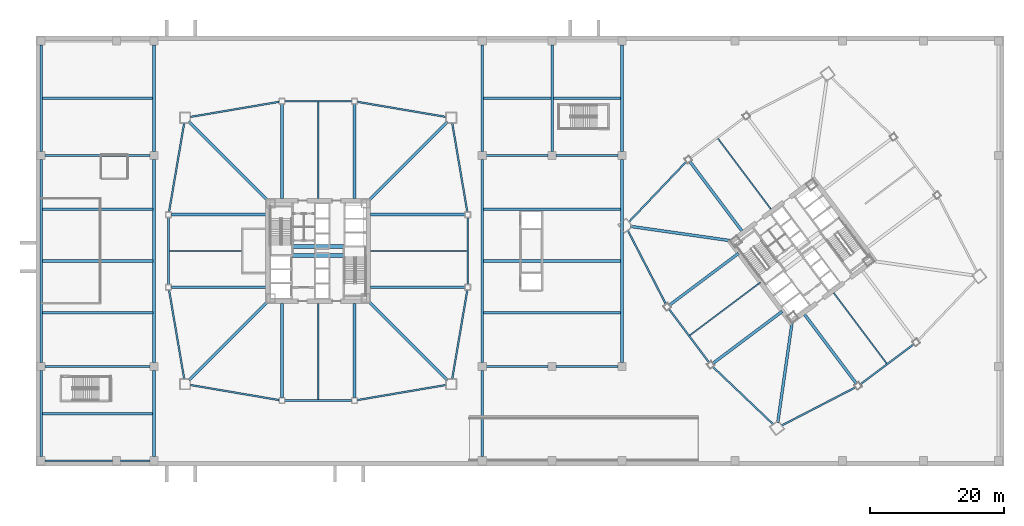
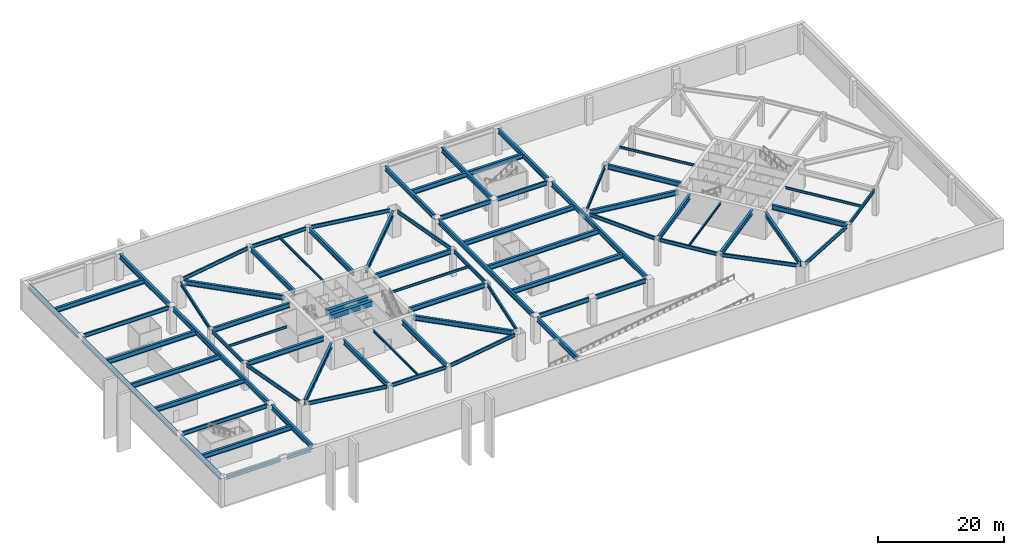
# One storey, part 5 of 17: 74 beams.
"""IFC4 building model written with IfcOpenShell, lengths in metres."""

from ifc_helpers import new_model, si_unit, direction, frame, origin, origin_2d, place, context, subcontext, project, spatial, rectangle, i_section, extrude, material, material_profile, profile_set, type_object, element, save


model = new_model("IFC4")

# Units and contexts
model_context = context("Model", 3, precision=1e-05, world=origin(), true_north=direction((0.0, 1.0)))
body_context = subcontext(model_context, "Body", "Model", "MODEL_VIEW")
ifc_project = project(units=[si_unit("LENGTHUNIT", "METRE"), si_unit("AREAUNIT", "SQUARE_METRE"), si_unit("VOLUMEUNIT", "CUBIC_METRE"), si_unit("PLANEANGLEUNIT", "RADIAN"), si_unit("MASSUNIT", "GRAM", prefix="KILO")], contexts=[model_context])

# Site, building, storey
site_placement = place(None, origin())
site = spatial("IfcSite", under=ifc_project, at=site_placement, CompositionType="ELEMENT")
building_placement = place(site_placement, origin())
building = spatial("IfcBuilding", under=site, at=building_placement, Name="Tashvorn Skyway Center", CompositionType="ELEMENT")
storey_placement = place(building_placement, frame((0.0, 0.0, -5.5)))
storey = spatial("IfcBuildingStorey", under=building, at=storey_placement, Name="B1", CompositionType="ELEMENT", Elevation=-5.5)

# Beams
ifc_material_1 = material(Name="Steel ASTM A992 Grade 50", Category="steel")
ifc_material_profile_1 = material_profile(ifc_material_1, i_section(OverallWidth=0.26708984375, OverallDepth=0.779052734375, WebThickness=0.0166015625, FlangeThickness=0.030029296875, at=origin_2d()), Name="W30X148")
ifc_profile_set_1 = profile_set([ifc_material_profile_1], Name="Steel ASTM A992 Grade 50")
beam_type_1 = type_object("IfcBeamType", Name="BM-BEAM-W30X148", PredefinedType="BEAM", material=ifc_profile_set_1)
beam_1_placement = place(storey_placement, frame((1.39501953125, 0.800048828125, 4.810546875), z_axis=(1.0, 0.0, 0.0), x_axis=(0.0, 1.0, 0.0)))
element("IfcBeam", 1, at=beam_1_placement, inside=storey, type_object=beam_type_1, Name="B1 West Edge Girder A 01", PredefinedType="BEAM", context=body_context, shape_type="SweptSolid", body=[
    extrude(i_section(OverallWidth=0.26708984375, OverallDepth=0.779052734375, WebThickness=0.0166015625, FlangeThickness=0.030029296875, at=origin_2d()), origin(), (0.0, 0.0, 1.0), 10.010009765625),
])
beam_2_placement = place(storey_placement, frame((12.594970703125, 0.800048828125, 4.810546875), z_axis=(1.0, 0.0, 0.0), x_axis=(0.0, 1.0, 0.0)))
element("IfcBeam", 2, at=beam_2_placement, inside=storey, type_object=beam_type_1, Name="B1 West Edge Girder B 01", PredefinedType="BEAM", context=body_context, shape_type="SweptSolid", body=[
    extrude(i_section(OverallWidth=0.26708984375, OverallDepth=0.779052734375, WebThickness=0.0166015625, FlangeThickness=0.030029296875, at=origin_2d()), origin(), (0.0, 0.0, 1.0), 4.409912109375),
])
for number, where, z_axis, x_axis, name in (
    (3, (1.39501953125, 14.800048828125, 4.810546875), (1.0, 0.0, 0.0), (0.0, 1.0, 0.0), "B1 West Auditorium Span Girder 03"),
    (4, (1.39501953125, 46.199951171875, 4.810546875), (1.0, 0.0, 0.0), (0.0, 1.0, 0.0), "B1 West Auditorium Span Girder 07"),
):
    element("IfcBeam", number, at=place(storey_placement, frame(where, z_axis=z_axis, x_axis=x_axis)), inside=storey, type_object=beam_type_1, Name=name, PredefinedType="BEAM", context=body_context, shape_type="SweptSolid", body=[
        extrude(i_section(OverallWidth=0.26708984375, OverallDepth=0.779052734375, WebThickness=0.0166015625, FlangeThickness=0.030029296875, at=origin_2d()), origin(), (0.0, 0.0, 1.0), 15.60986328125),
    ])
ifc_material_profile_2 = material_profile(ifc_material_1, i_section(OverallWidth=0.2919921875, OverallDepth=0.85888671875, WebThickness=0.01708984375, FlangeThickness=0.031005859375, at=origin_2d()), Name="W33X169")
ifc_profile_set_2 = profile_set([ifc_material_profile_2], Name="Steel ASTM A992 Grade 50")
beam_type_2 = type_object("IfcBeamType", Name="BM-BEAM-W33X169", PredefinedType="BEAM", material=ifc_profile_set_2)
for number, where, z_axis, x_axis, name in (
    (5, (66.9951171875, 14.800048828125, 4.7705078125), (1.0, 0.0, 0.0), (0.0, 1.0, 0.0), "B1 Central Podium Girder A 03"),
    (6, (77.39501953125, 14.800048828125, 4.7705078125), (1.0, 0.0, 0.0), (0.0, 1.0, 0.0), "B1 Central Podium Girder B 03"),
    (7, (66.9951171875, 46.199951171875, 4.7705078125), (1.0, 0.0, 0.0), (0.0, 1.0, 0.0), "B1 Central Podium Girder A 07"),
    (8, (77.39501953125, 46.199951171875, 4.7705078125), (1.0, 0.0, 0.0), (0.0, 1.0, 0.0), "B1 Central Podium Girder B 07"),
):
    element("IfcBeam", number, at=place(storey_placement, frame(where, z_axis=z_axis, x_axis=x_axis)), inside=storey, type_object=beam_type_2, Name=name, PredefinedType="BEAM", context=body_context, shape_type="SweptSolid", body=[
        extrude(i_section(OverallWidth=0.2919921875, OverallDepth=0.85888671875, WebThickness=0.01708984375, FlangeThickness=0.031005859375, at=origin_2d()), origin(), (0.0, 0.0, 1.0), 9.2099609375),
    ])
ifc_material_2 = material(Name="Steel ASTM A913 Grade 65", Category="steel")
ifc_material_profile_3 = material_profile(ifc_material_2, i_section(OverallWidth=0.4189453125, OverallDepth=0.927001953125, WebThickness=0.019287109375, FlangeThickness=0.031982421875, at=origin_2d()), Name="W36X231")
ifc_profile_set_3 = profile_set([ifc_material_profile_3], Name="Steel ASTM A913 Grade 65")
beam_type_3 = type_object("IfcBeamType", Name="BM-BEAM-W36X231", PredefinedType="BEAM", material=ifc_profile_set_3)
for number, where, z_axis, x_axis, name in (
    (9, (22.76220703125, 12.76220703125, 4.736572265625), (0.707106781187, 0.707106781187, 0.0), (-0.707106781187, 0.707106781187, 0.0), "Tower 1 B1 Primary Floor Girder MC-SW"),
    (10, (61.23779296875, 12.76220703125, 4.736572265625), (-0.707106781187, 0.707106781187, 0.0), (-0.707106781187, -0.707106781187, 0.0), "Tower 1 B1 Primary Floor Girder MC-SE"),
    (11, (61.23779296875, 51.23779296875, 4.736572265625), (-0.707106781187, -0.707106781187, 0.0), (0.707106781187, -0.707106781187, 0.0), "Tower 1 B1 Primary Floor Girder MC-NE"),
    (12, (22.76220703125, 51.23779296875, 4.736572265625), (0.707106781187, -0.707106781187, 0.0), (0.707106781187, 0.707106781187, 0.0), "Tower 1 B1 Primary Floor Girder MC-NW"),
):
    element("IfcBeam", number, at=place(storey_placement, frame(where, z_axis=z_axis, x_axis=x_axis)), inside=storey, type_object=beam_type_3, Name=name, PredefinedType="BEAM", context=body_context, shape_type="SweptSolid", body=[
        extrude(i_section(OverallWidth=0.4189453125, OverallDepth=0.927001953125, WebThickness=0.019287109375, FlangeThickness=0.031982421875, at=origin_2d()), origin(), (0.0, 0.0, 1.0), 16.591064453125),
    ])
for number, where, z_axis, x_axis, name in (
    (13, (36.60009765625, 10.169921875, 4.736572265625), (0.0, 1.0, 0.0), (-1.0, 0.0, 0.0), "Tower 1 B1 Primary Floor Girder FC-S1"),
    (14, (47.39990234375, 10.169921875, 4.736572265625), (0.0, 1.0, 0.0), (-1.0, 0.0, 0.0), "Tower 1 B1 Primary Floor Girder FC-S2"),
    (15, (63.830078125, 26.60009765625, 4.736572265625), (-1.0, 0.0, 0.0), (0.0, -1.0, 0.0), "Tower 1 B1 Primary Floor Girder FC-E1"),
    (16, (63.830078125, 37.39990234375, 4.736572265625), (-1.0, 0.0, 0.0), (0.0, -1.0, 0.0), "Tower 1 B1 Primary Floor Girder FC-E2"),
    (17, (47.39990234375, 53.830078125, 4.736572265625), (0.0, -1.0, 0.0), (1.0, 0.0, 0.0), "Tower 1 B1 Primary Floor Girder FC-N1"),
    (18, (36.60009765625, 53.830078125, 4.736572265625), (0.0, -1.0, 0.0), (1.0, 0.0, 0.0), "Tower 1 B1 Primary Floor Girder FC-N2"),
    (19, (20.169921875, 37.39990234375, 4.736572265625), (1.0, 0.0, 0.0), (0.0, 1.0, 0.0), "Tower 1 B1 Primary Floor Girder FC-W1"),
    (20, (20.169921875, 26.60009765625, 4.736572265625), (1.0, 0.0, 0.0), (0.0, 1.0, 0.0), "Tower 1 B1 Primary Floor Girder FC-W2"),
):
    element("IfcBeam", number, at=place(storey_placement, frame(where, z_axis=z_axis, x_axis=x_axis)), inside=storey, type_object=beam_type_3, Name=name, PredefinedType="BEAM", context=body_context, shape_type="SweptSolid", body=[
        extrude(i_section(OverallWidth=0.4189453125, OverallDepth=0.927001953125, WebThickness=0.019287109375, FlangeThickness=0.031982421875, at=origin_2d()), origin(), (0.0, 0.0, 1.0), 14.050048828125),
    ])
for number, where, z_axis, x_axis, name in (
    (21, (110.3525390625, 6.467041015625, 4.736572265625), (0.141414599991, 0.989950458816, 0.0), (-0.989950458816, 0.141414599991, 0.0), "Tower 2 B1 Primary Floor Girder MC-SW"),
    (22, (88.467041015625, 35.6474609375, 4.736572265625), (0.989950458816, -0.141414599991, 0.0), (0.141414599991, 0.989950458816, 0.0), "Tower 2 B1 Primary Floor Girder MC-NW"),
):
    element("IfcBeam", number, at=place(storey_placement, frame(where, z_axis=z_axis, x_axis=x_axis)), inside=storey, type_object=beam_type_3, Name=name, PredefinedType="BEAM", context=body_context, shape_type="SweptSolid", body=[
        extrude(i_section(OverallWidth=0.4189453125, OverallDepth=0.927001953125, WebThickness=0.019287109375, FlangeThickness=0.031982421875, at=origin_2d()), origin(), (0.0, 0.0, 1.0), 15.177001953125),
    ])
beam_3_placement = place(storey_placement, frame((122.05810546875, 12.256103515625, 4.736572265625), z_axis=(-0.600018239213, 0.799986320265, 0.0), x_axis=(-0.799986320265, -0.600018239213, 0.0)))
element("IfcBeam", 23, at=beam_3_placement, inside=storey, type_object=beam_type_3, Name="Tower 2 B1 Primary Floor Girder FC-S1", PredefinedType="BEAM", context=body_context, shape_type="SweptSolid", body=[
    extrude(i_section(OverallWidth=0.4189453125, OverallDepth=0.927001953125, WebThickness=0.019287109375, FlangeThickness=0.031982421875, at=origin_2d()), origin(), (0.0, 0.0, 1.0), 12.849853515625),
])
beam_4_placement = place(storey_placement, frame((97.302001953125, 45.263916015625, 4.736572265625), z_axis=(0.599996960112, -0.800002279907, 0.0), x_axis=(0.800002279907, 0.599996960112, 0.0)))
element("IfcBeam", 24, at=beam_4_placement, inside=storey, type_object=beam_type_3, Name="Tower 2 B1 Primary Floor Girder FC-N2", PredefinedType="BEAM", context=body_context, shape_type="SweptSolid", body=[
    extrude(i_section(OverallWidth=0.4189453125, OverallDepth=0.927001953125, WebThickness=0.019287109375, FlangeThickness=0.031982421875, at=origin_2d()), origin(), (0.0, 0.0, 1.0), 12.85009765625),
])
beam_5_placement = place(storey_placement, frame((94.256103515625, 23.94189453125, 4.736572265625), z_axis=(0.799986320265, 0.600018239213, 0.0), x_axis=(-0.600018239213, 0.799986320265, 0.0)))
element("IfcBeam", 25, at=beam_5_placement, inside=storey, type_object=beam_type_3, Name="Tower 2 B1 Primary Floor Girder FC-W1", PredefinedType="BEAM", context=body_context, shape_type="SweptSolid", body=[
    extrude(i_section(OverallWidth=0.4189453125, OverallDepth=0.927001953125, WebThickness=0.019287109375, FlangeThickness=0.031982421875, at=origin_2d()), origin(), (0.0, 0.0, 1.0), 12.849853515625),
])
beam_6_placement = place(storey_placement, frame((100.736083984375, 15.302001953125, 4.736572265625), z_axis=(0.800002279907, 0.599996960112, 0.0), x_axis=(-0.599996960112, 0.800002279907, 0.0)))
element("IfcBeam", 26, at=beam_6_placement, inside=storey, type_object=beam_type_3, Name="Tower 2 B1 Primary Floor Girder FC-W2", PredefinedType="BEAM", context=body_context, shape_type="SweptSolid", body=[
    extrude(i_section(OverallWidth=0.4189453125, OverallDepth=0.927001953125, WebThickness=0.019287109375, FlangeThickness=0.031982421875, at=origin_2d()), origin(), (0.0, 0.0, 1.0), 12.85009765625),
])
beam_7_placement = place(storey_placement, frame((0.800048828125, 1.39501953125, 4.736572265625), z_axis=(0.0, 1.0, 0.0), x_axis=(-1.0, 0.0, 0.0)))
element("IfcBeam", 27, at=beam_7_placement, inside=storey, type_object=beam_type_3, Name="B1 North-South Podium Girder 01-S", PredefinedType="BEAM", context=body_context, shape_type="SweptSolid", body=[
    extrude(i_section(OverallWidth=0.4189453125, OverallDepth=0.927001953125, WebThickness=0.019287109375, FlangeThickness=0.031982421875, at=origin_2d()), origin(), (0.0, 0.0, 1.0), 12.81005859375),
])
beam_8_placement = place(storey_placement, frame((0.800048828125, 15.39501953125, 4.736572265625), z_axis=(0.0, 1.0, 0.0), x_axis=(-1.0, 0.0, 0.0)))
element("IfcBeam", 28, at=beam_8_placement, inside=storey, type_object=beam_type_3, Name="B1 North-South Podium Girder 01-M", PredefinedType="BEAM", context=body_context, shape_type="SweptSolid", body=[
    extrude(i_section(OverallWidth=0.4189453125, OverallDepth=0.927001953125, WebThickness=0.019287109375, FlangeThickness=0.031982421875, at=origin_2d()), origin(), (0.0, 0.0, 1.0), 30.2099609375),
])
beam_9_placement = place(storey_placement, frame((0.800048828125, 46.794921875, 4.736572265625), z_axis=(0.0, 1.0, 0.0), x_axis=(-1.0, 0.0, 0.0)))
element("IfcBeam", 29, at=beam_9_placement, inside=storey, type_object=beam_type_3, Name="B1 North-South Podium Girder 01-N", PredefinedType="BEAM", context=body_context, shape_type="SweptSolid", body=[
    extrude(i_section(OverallWidth=0.4189453125, OverallDepth=0.927001953125, WebThickness=0.019287109375, FlangeThickness=0.031982421875, at=origin_2d()), origin(), (0.0, 0.0, 1.0), 15.81005859375),
])
beam_10_placement = place(storey_placement, frame((17.60009765625, 1.39501953125, 4.736572265625), z_axis=(0.0, 1.0, 0.0), x_axis=(-1.0, 0.0, 0.0)))
element("IfcBeam", 30, at=beam_10_placement, inside=storey, type_object=beam_type_3, Name="B1 North-South Podium Girder 02-S", PredefinedType="BEAM", context=body_context, shape_type="SweptSolid", body=[
    extrude(i_section(OverallWidth=0.4189453125, OverallDepth=0.927001953125, WebThickness=0.019287109375, FlangeThickness=0.031982421875, at=origin_2d()), origin(), (0.0, 0.0, 1.0), 12.81005859375),
])
beam_11_placement = place(storey_placement, frame((17.60009765625, 15.39501953125, 4.736572265625), z_axis=(0.0, 1.0, 0.0), x_axis=(-1.0, 0.0, 0.0)))
element("IfcBeam", 31, at=beam_11_placement, inside=storey, type_object=beam_type_3, Name="B1 North-South Podium Girder 02-M", PredefinedType="BEAM", context=body_context, shape_type="SweptSolid", body=[
    extrude(i_section(OverallWidth=0.4189453125, OverallDepth=0.927001953125, WebThickness=0.019287109375, FlangeThickness=0.031982421875, at=origin_2d()), origin(), (0.0, 0.0, 1.0), 30.2099609375),
])
beam_12_placement = place(storey_placement, frame((17.60009765625, 46.794921875, 4.736572265625), z_axis=(0.0, 1.0, 0.0), x_axis=(-1.0, 0.0, 0.0)))
element("IfcBeam", 32, at=beam_12_placement, inside=storey, type_object=beam_type_3, Name="B1 North-South Podium Girder 02-N", PredefinedType="BEAM", context=body_context, shape_type="SweptSolid", body=[
    extrude(i_section(OverallWidth=0.4189453125, OverallDepth=0.927001953125, WebThickness=0.019287109375, FlangeThickness=0.031982421875, at=origin_2d()), origin(), (0.0, 0.0, 1.0), 15.81005859375),
])
beam_13_placement = place(storey_placement, frame((66.39990234375, 1.39501953125, 4.736572265625), z_axis=(0.0, 1.0, 0.0), x_axis=(-1.0, 0.0, 0.0)))
element("IfcBeam", 33, at=beam_13_placement, inside=storey, type_object=beam_type_3, Name="B1 North-South Podium Girder 03-S", PredefinedType="BEAM", context=body_context, shape_type="SweptSolid", body=[
    extrude(i_section(OverallWidth=0.4189453125, OverallDepth=0.927001953125, WebThickness=0.019287109375, FlangeThickness=0.031982421875, at=origin_2d()), origin(), (0.0, 0.0, 1.0), 12.81005859375),
])
beam_14_placement = place(storey_placement, frame((66.39990234375, 15.39501953125, 4.736572265625), z_axis=(0.0, 1.0, 0.0), x_axis=(-1.0, 0.0, 0.0)))
element("IfcBeam", 34, at=beam_14_placement, inside=storey, type_object=beam_type_3, Name="B1 North-South Podium Girder 03-M", PredefinedType="BEAM", context=body_context, shape_type="SweptSolid", body=[
    extrude(i_section(OverallWidth=0.4189453125, OverallDepth=0.927001953125, WebThickness=0.019287109375, FlangeThickness=0.031982421875, at=origin_2d()), origin(), (0.0, 0.0, 1.0), 30.2099609375),
])
for number, where, z_axis, x_axis, name in (
    (35, (66.39990234375, 46.794921875, 4.736572265625), (0.0, 1.0, 0.0), (-1.0, 0.0, 0.0), "B1 North-South Podium Girder 03-N"),
    (36, (76.800048828125, 46.794921875, 4.736572265625), (0.0, 1.0, 0.0), (-1.0, 0.0, 0.0), "B1 North-South Podium Girder 04-N"),
):
    element("IfcBeam", number, at=place(storey_placement, frame(where, z_axis=z_axis, x_axis=x_axis)), inside=storey, type_object=beam_type_3, Name=name, PredefinedType="BEAM", context=body_context, shape_type="SweptSolid", body=[
        extrude(i_section(OverallWidth=0.4189453125, OverallDepth=0.927001953125, WebThickness=0.019287109375, FlangeThickness=0.031982421875, at=origin_2d()), origin(), (0.0, 0.0, 1.0), 15.81005859375),
    ])
beam_15_placement = place(storey_placement, frame((87.199951171875, 15.39501953125, 4.736572265625), z_axis=(0.0, 1.0, 0.0), x_axis=(-1.0, 0.0, 0.0)))
element("IfcBeam", 37, at=beam_15_placement, inside=storey, type_object=beam_type_3, Name="B1 North-South Podium Girder 05-M", PredefinedType="BEAM", context=body_context, shape_type="SweptSolid", body=[
    extrude(i_section(OverallWidth=0.4189453125, OverallDepth=0.927001953125, WebThickness=0.019287109375, FlangeThickness=0.031982421875, at=origin_2d()), origin(), (0.0, 0.0, 1.0), 30.2099609375),
])
beam_16_placement = place(storey_placement, frame((87.199951171875, 46.794921875, 4.736572265625), z_axis=(0.0, 1.0, 0.0), x_axis=(-1.0, 0.0, 0.0)))
element("IfcBeam", 38, at=beam_16_placement, inside=storey, type_object=beam_type_3, Name="B1 North-South Podium Girder 05-N", PredefinedType="BEAM", context=body_context, shape_type="SweptSolid", body=[
    extrude(i_section(OverallWidth=0.4189453125, OverallDepth=0.927001953125, WebThickness=0.019287109375, FlangeThickness=0.031982421875, at=origin_2d()), origin(), (0.0, 0.0, 1.0), 15.81005859375),
])
for number, where, z_axis, x_axis, name in (
    (39, (1.00146484375, 7.800048828125, 4.736572265625), (1.0, 0.0, 0.0), (0.0, 1.0, 0.0), "B1 West Auditorium Span Girder 02"),
    (40, (1.00146484375, 22.800048828125, 4.736572265625), (1.0, 0.0, 0.0), (0.0, 1.0, 0.0), "B1 West Auditorium Span Girder 04"),
):
    element("IfcBeam", number, at=place(storey_placement, frame(where, z_axis=z_axis, x_axis=x_axis)), inside=storey, type_object=beam_type_3, Name=name, PredefinedType="BEAM", context=body_context, shape_type="SweptSolid", body=[
        extrude(i_section(OverallWidth=0.4189453125, OverallDepth=0.927001953125, WebThickness=0.019287109375, FlangeThickness=0.031982421875, at=origin_2d()), origin(), (0.0, 0.0, 1.0), 16.39697265625),
    ])
beam_17_placement = place(storey_placement, frame((66.6015625, 22.800048828125, 4.736572265625), z_axis=(1.0, 0.0, 0.0), x_axis=(0.0, 1.0, 0.0)))
element("IfcBeam", 41, at=beam_17_placement, inside=storey, type_object=beam_type_3, Name="B1 Central Concourse Span Girder 04", PredefinedType="BEAM", context=body_context, shape_type="SweptSolid", body=[
    extrude(i_section(OverallWidth=0.4189453125, OverallDepth=0.927001953125, WebThickness=0.019287109375, FlangeThickness=0.031982421875, at=origin_2d()), origin(), (0.0, 0.0, 1.0), 20.39697265625),
])
beam_18_placement = place(storey_placement, frame((1.00146484375, 30.5, 4.736572265625), z_axis=(1.0, 0.0, 0.0), x_axis=(0.0, 1.0, 0.0)))
element("IfcBeam", 42, at=beam_18_placement, inside=storey, type_object=beam_type_3, Name="B1 West Auditorium Span Girder 05", PredefinedType="BEAM", context=body_context, shape_type="SweptSolid", body=[
    extrude(i_section(OverallWidth=0.4189453125, OverallDepth=0.927001953125, WebThickness=0.019287109375, FlangeThickness=0.031982421875, at=origin_2d()), origin(), (0.0, 0.0, 1.0), 16.39697265625),
])
beam_19_placement = place(storey_placement, frame((66.6015625, 30.5, 4.736572265625), z_axis=(1.0, 0.0, 0.0), x_axis=(0.0, 1.0, 0.0)))
element("IfcBeam", 43, at=beam_19_placement, inside=storey, type_object=beam_type_3, Name="B1 Central Concourse Span Girder 05", PredefinedType="BEAM", context=body_context, shape_type="SweptSolid", body=[
    extrude(i_section(OverallWidth=0.4189453125, OverallDepth=0.927001953125, WebThickness=0.019287109375, FlangeThickness=0.031982421875, at=origin_2d()), origin(), (0.0, 0.0, 1.0), 20.39697265625),
])
beam_20_placement = place(storey_placement, frame((1.00146484375, 38.199951171875, 4.736572265625), z_axis=(1.0, 0.0, 0.0), x_axis=(0.0, 1.0, 0.0)))
element("IfcBeam", 44, at=beam_20_placement, inside=storey, type_object=beam_type_3, Name="B1 West Auditorium Span Girder 06", PredefinedType="BEAM", context=body_context, shape_type="SweptSolid", body=[
    extrude(i_section(OverallWidth=0.4189453125, OverallDepth=0.927001953125, WebThickness=0.019287109375, FlangeThickness=0.031982421875, at=origin_2d()), origin(), (0.0, 0.0, 1.0), 16.39697265625),
])
beam_21_placement = place(storey_placement, frame((66.6015625, 38.199951171875, 4.736572265625), z_axis=(1.0, 0.0, 0.0), x_axis=(0.0, 1.0, 0.0)))
element("IfcBeam", 45, at=beam_21_placement, inside=storey, type_object=beam_type_3, Name="B1 Central Concourse Span Girder 06", PredefinedType="BEAM", context=body_context, shape_type="SweptSolid", body=[
    extrude(i_section(OverallWidth=0.4189453125, OverallDepth=0.927001953125, WebThickness=0.019287109375, FlangeThickness=0.031982421875, at=origin_2d()), origin(), (0.0, 0.0, 1.0), 20.39697265625),
])
beam_22_placement = place(storey_placement, frame((1.00146484375, 54.699951171875, 4.736572265625), z_axis=(1.0, 0.0, 0.0), x_axis=(0.0, 1.0, 0.0)))
element("IfcBeam", 46, at=beam_22_placement, inside=storey, type_object=beam_type_3, Name="B1 West Auditorium Span Girder 08", PredefinedType="BEAM", context=body_context, shape_type="SweptSolid", body=[
    extrude(i_section(OverallWidth=0.4189453125, OverallDepth=0.927001953125, WebThickness=0.019287109375, FlangeThickness=0.031982421875, at=origin_2d()), origin(), (0.0, 0.0, 1.0), 16.39697265625),
])
beam_23_placement = place(storey_placement, frame((66.6015625, 54.699951171875, 4.736572265625), z_axis=(1.0, 0.0, 0.0), x_axis=(0.0, 1.0, 0.0)))
element("IfcBeam", 47, at=beam_23_placement, inside=storey, type_object=beam_type_3, Name="B1 Central Concourse Span Girder 08", PredefinedType="BEAM", context=body_context, shape_type="SweptSolid", body=[
    extrude(i_section(OverallWidth=0.4189453125, OverallDepth=0.927001953125, WebThickness=0.019287109375, FlangeThickness=0.031982421875, at=origin_2d()), origin(), (0.0, 0.0, 1.0), 20.39697265625),
])
ifc_material_profile_4 = material_profile(ifc_material_1, i_section(OverallWidth=0.19091796875, OverallDepth=0.4599609375, WebThickness=0.010009765625, FlangeThickness=0.01611328125, at=origin_2d()), Name="W18X55")
ifc_profile_set_4 = profile_set([ifc_material_profile_4], Name="Steel ASTM A992 Grade 50")
beam_type_4 = type_object("IfcBeamType", Name="BM-JOIST-W18X55", PredefinedType="JOIST", material=ifc_profile_set_4)
for number, where, z_axis, x_axis, name in (
    (48, (42.0, 24.2099609375, 4.969970703125), (0.0, -1.0, 0.0), (1.0, 0.0, 0.0), "Tower 1 B1 Secondary Composite Joist JS"),
    (49, (42.0, 39.7900390625, 4.969970703125), (0.0, 1.0, 0.0), (-1.0, 0.0, 0.0), "Tower 1 B1 Secondary Composite Joist JN"),
    (50, (49.7900390625, 32.0, 4.969970703125), (1.0, 0.0, 0.0), (0.0, 1.0, 0.0), "Tower 1 B1 Secondary Composite Joist JE"),
):
    element("IfcBeam", number, at=place(storey_placement, frame(where, z_axis=z_axis, x_axis=x_axis)), inside=storey, type_object=beam_type_4, Name=name, PredefinedType="JOIST", context=body_context, shape_type="SweptSolid", body=[
        extrude(i_section(OverallWidth=0.19091796875, OverallDepth=0.4599609375, WebThickness=0.010009765625, FlangeThickness=0.01611328125, at=origin_2d()), origin(), (0.0, 0.0, 1.0), 14.33984375),
    ])
beam_24_placement = place(storey_placement, frame((30.610107421875, 32.0, 4.969970703125), z_axis=(-1.0, 0.0, 0.0), x_axis=(0.0, -1.0, 0.0)))
element("IfcBeam", 51, at=beam_24_placement, inside=storey, type_object=beam_type_4, Name="Tower 1 B1 Secondary Composite Joist JW", PredefinedType="JOIST", context=body_context, shape_type="SweptSolid", body=[
    extrude(i_section(OverallWidth=0.19091796875, OverallDepth=0.4599609375, WebThickness=0.010009765625, FlangeThickness=0.01611328125, at=origin_2d()), origin(), (0.0, 0.0, 1.0), 10.739990234375),
])
for number, where, z_axis, x_axis, name in (
    (52, (118.674072265625, 25.76806640625, 4.969970703125), (0.600002972791, -0.799997770398, 0.0), (0.799997770398, 0.600002972791, 0.0), "Tower 2 B1 Secondary Composite Joist JS"),
    (53, (109.325927734375, 38.23193359375, 4.969970703125), (-0.600002972791, 0.799997770398, 0.0), (-0.799997770398, -0.600002972791, 0.0), "Tower 2 B1 Secondary Composite Joist JN"),
    (54, (107.76806640625, 27.325927734375, 4.969970703125), (-0.799997770398, -0.600002972791, 0.0), (0.600002972791, -0.799997770398, 0.0), "Tower 2 B1 Secondary Composite Joist JW"),
):
    element("IfcBeam", number, at=place(storey_placement, frame(where, z_axis=z_axis, x_axis=x_axis)), inside=storey, type_object=beam_type_4, Name=name, PredefinedType="JOIST", context=body_context, shape_type="SweptSolid", body=[
        extrude(i_section(OverallWidth=0.19091796875, OverallDepth=0.4599609375, WebThickness=0.010009765625, FlangeThickness=0.01611328125, at=origin_2d()), origin(), (0.0, 0.0, 1.0), 13.139892578125),
    ])
ifc_material_3 = material(Name="Concrete C60/75", Category="concrete")
ifc_material_profile_5 = material_profile(ifc_material_3, rectangle(XDim=0.60009765625, YDim=0.949951171875, at=origin_2d()), Name="RCB600x950")
ifc_profile_set_5 = profile_set([ifc_material_profile_5], Name="Concrete C60/75")
beam_type_5 = type_object("IfcBeamType", Name="BM-LINTEL-RCB600x950", PredefinedType="LINTEL", material=ifc_profile_set_5)
for number, where, z_axis, x_axis, name in (
    (55, (38.199951171875, 32.679931640625, 4.72509765625), (1.0, 0.0, 0.0), (0.0, 1.0, 0.0), "Tower 1 B1 Core Coupling Beam CN"),
    (56, (38.199951171875, 31.320068359375, 4.72509765625), (1.0, 0.0, 0.0), (0.0, 1.0, 0.0), "Tower 1 B1 Core Coupling Beam CS"),
):
    element("IfcBeam", number, at=place(storey_placement, frame(where, z_axis=z_axis, x_axis=x_axis)), inside=storey, type_object=beam_type_5, Name=name, PredefinedType="LINTEL", context=body_context, shape_type="SweptSolid", body=[
        extrude(rectangle(XDim=0.60009765625, YDim=0.949951171875, at=origin_2d()), origin(), (0.0, 0.0, 1.0), 7.60009765625),
    ])
ifc_material_profile_6 = material_profile(ifc_material_1, i_section(OverallWidth=0.256103515625, OverallDepth=0.693115234375, WebThickness=0.014404296875, FlangeThickness=0.023681640625, at=origin_2d()), Name="W27X114")
ifc_profile_set_6 = profile_set([ifc_material_profile_6], Name="Steel ASTM A992 Grade 50")
beam_type_6 = type_object("IfcBeamType", Name="BM-SPANDREL-W27X114", PredefinedType="SPANDREL", material=ifc_profile_set_6)
beam_25_placement = place(storey_placement, frame((22.983642578125, 12.066650390625, 4.853515625), z_axis=(0.985835025551, -0.16771792509, 0.0), x_axis=(0.16771792509, 0.985835025551, 0.0)))
element("IfcBeam", 57, at=beam_25_placement, inside=storey, type_object=beam_type_6, Name="Tower 1 B1 Spandrel Beam 01", PredefinedType="SPANDREL", context=body_context, shape_type="SweptSolid", body=[
    extrude(i_section(OverallWidth=0.256103515625, OverallDepth=0.693115234375, WebThickness=0.014404296875, FlangeThickness=0.023681640625, at=origin_2d()), origin(), (0.0, 0.0, 1.0), 13.39208984375),
])
beam_26_placement = place(storey_placement, frame((37.02001953125, 9.75, 4.853515625), z_axis=(1.0, 0.0, 0.0), x_axis=(0.0, 1.0, 0.0)))
element("IfcBeam", 58, at=beam_26_placement, inside=storey, type_object=beam_type_6, Name="Tower 1 B1 Spandrel Beam 02", PredefinedType="SPANDREL", context=body_context, shape_type="SweptSolid", body=[
    extrude(i_section(OverallWidth=0.256103515625, OverallDepth=0.693115234375, WebThickness=0.014404296875, FlangeThickness=0.023681640625, at=origin_2d()), origin(), (0.0, 0.0, 1.0), 9.9599609375),
])
for number, where, z_axis, x_axis, name in (
    (59, (47.81396484375, 9.820556640625, 4.853515625), (0.985835025551, 0.16771792509, 0.0), (-0.16771792509, 0.985835025551, 0.0), "Tower 1 B1 Spandrel Beam 03"),
    (60, (61.933349609375, 12.983642578125, 4.853515625), (0.16771792509, 0.985835025551, 0.0), (-0.985835025551, 0.16771792509, 0.0), "Tower 1 B1 Spandrel Beam 04"),
):
    element("IfcBeam", number, at=place(storey_placement, frame(where, z_axis=z_axis, x_axis=x_axis)), inside=storey, type_object=beam_type_6, Name=name, PredefinedType="SPANDREL", context=body_context, shape_type="SweptSolid", body=[
        extrude(i_section(OverallWidth=0.256103515625, OverallDepth=0.693115234375, WebThickness=0.014404296875, FlangeThickness=0.023681640625, at=origin_2d()), origin(), (0.0, 0.0, 1.0), 13.39208984375),
    ])
beam_27_placement = place(storey_placement, frame((64.25, 27.02001953125, 4.853515625), z_axis=(0.0, 1.0, 0.0), x_axis=(-1.0, 0.0, 0.0)))
element("IfcBeam", 61, at=beam_27_placement, inside=storey, type_object=beam_type_6, Name="Tower 1 B1 Spandrel Beam 05", PredefinedType="SPANDREL", context=body_context, shape_type="SweptSolid", body=[
    extrude(i_section(OverallWidth=0.256103515625, OverallDepth=0.693115234375, WebThickness=0.014404296875, FlangeThickness=0.023681640625, at=origin_2d()), origin(), (0.0, 0.0, 1.0), 9.9599609375),
])
for number, where, z_axis, x_axis, name in (
    (62, (64.179443359375, 37.81396484375, 4.853515625), (-0.16771792509, 0.985835025551, 0.0), (-0.985835025551, -0.16771792509, 0.0), "Tower 1 B1 Spandrel Beam 06"),
    (63, (61.016357421875, 51.933349609375, 4.853515625), (-0.985835025551, 0.16771792509, 0.0), (-0.16771792509, -0.985835025551, 0.0), "Tower 1 B1 Spandrel Beam 07"),
):
    element("IfcBeam", number, at=place(storey_placement, frame(where, z_axis=z_axis, x_axis=x_axis)), inside=storey, type_object=beam_type_6, Name=name, PredefinedType="SPANDREL", context=body_context, shape_type="SweptSolid", body=[
        extrude(i_section(OverallWidth=0.256103515625, OverallDepth=0.693115234375, WebThickness=0.014404296875, FlangeThickness=0.023681640625, at=origin_2d()), origin(), (0.0, 0.0, 1.0), 13.39208984375),
    ])
beam_28_placement = place(storey_placement, frame((46.97998046875, 54.25, 4.853515625), z_axis=(-1.0, 0.0, 0.0), x_axis=(0.0, -1.0, 0.0)))
element("IfcBeam", 64, at=beam_28_placement, inside=storey, type_object=beam_type_6, Name="Tower 1 B1 Spandrel Beam 08", PredefinedType="SPANDREL", context=body_context, shape_type="SweptSolid", body=[
    extrude(i_section(OverallWidth=0.256103515625, OverallDepth=0.693115234375, WebThickness=0.014404296875, FlangeThickness=0.023681640625, at=origin_2d()), origin(), (0.0, 0.0, 1.0), 9.9599609375),
])
for number, where, z_axis, x_axis, name in (
    (65, (36.18603515625, 54.179443359375, 4.853515625), (-0.985835025551, -0.16771792509, 0.0), (0.16771792509, -0.985835025551, 0.0), "Tower 1 B1 Spandrel Beam 09"),
    (66, (22.066650390625, 51.016357421875, 4.853515625), (-0.16771792509, -0.985835025551, 0.0), (0.985835025551, -0.16771792509, 0.0), "Tower 1 B1 Spandrel Beam 10"),
):
    element("IfcBeam", number, at=place(storey_placement, frame(where, z_axis=z_axis, x_axis=x_axis)), inside=storey, type_object=beam_type_6, Name=name, PredefinedType="SPANDREL", context=body_context, shape_type="SweptSolid", body=[
        extrude(i_section(OverallWidth=0.256103515625, OverallDepth=0.693115234375, WebThickness=0.014404296875, FlangeThickness=0.023681640625, at=origin_2d()), origin(), (0.0, 0.0, 1.0), 13.39208984375),
    ])
beam_29_placement = place(storey_placement, frame((19.75, 36.97998046875, 4.853515625), z_axis=(0.0, -1.0, 0.0), x_axis=(1.0, 0.0, 0.0)))
element("IfcBeam", 67, at=beam_29_placement, inside=storey, type_object=beam_type_6, Name="Tower 1 B1 Spandrel Beam 11", PredefinedType="SPANDREL", context=body_context, shape_type="SweptSolid", body=[
    extrude(i_section(OverallWidth=0.256103515625, OverallDepth=0.693115234375, WebThickness=0.014404296875, FlangeThickness=0.023681640625, at=origin_2d()), origin(), (0.0, 0.0, 1.0), 9.9599609375),
])
beam_30_placement = place(storey_placement, frame((19.820556640625, 26.18603515625, 4.853515625), z_axis=(0.16771792509, -0.985835025551, 0.0), x_axis=(0.985835025551, 0.16771792509, 0.0)))
element("IfcBeam", 68, at=beam_30_placement, inside=storey, type_object=beam_type_6, Name="Tower 1 B1 Spandrel Beam 12", PredefinedType="SPANDREL", context=body_context, shape_type="SweptSolid", body=[
    extrude(i_section(OverallWidth=0.256103515625, OverallDepth=0.693115234375, WebThickness=0.014404296875, FlangeThickness=0.023681640625, at=origin_2d()), origin(), (0.0, 0.0, 1.0), 13.39208984375),
])
beam_31_placement = place(storey_placement, frame((110.9462890625, 6.045166015625, 4.853515625), z_axis=(0.888315637339, 0.459233413919, 0.0), x_axis=(-0.459233413919, 0.888315637339, 0.0)))
element("IfcBeam", 69, at=beam_31_placement, inside=storey, type_object=beam_type_6, Name="Tower 2 B1 Spandrel Beam 01", PredefinedType="SPANDREL", context=body_context, shape_type="SweptSolid", body=[
    extrude(i_section(OverallWidth=0.256103515625, OverallDepth=0.693115234375, WebThickness=0.014404296875, FlangeThickness=0.023681640625, at=origin_2d()), origin(), (0.0, 0.0, 1.0), 12.37255859375),
])
beam_32_placement = place(storey_placement, frame((122.64599609375, 12.172119140625, 4.853515625), z_axis=(0.800008824351, 0.599988234018, 0.0), x_axis=(-0.599988234018, 0.800008824351, 0.0)))
element("IfcBeam", 70, at=beam_32_placement, inside=storey, type_object=beam_type_6, Name="Tower 2 B1 Spandrel Beam 02", PredefinedType="SPANDREL", context=body_context, shape_type="SweptSolid", body=[
    extrude(i_section(OverallWidth=0.256103515625, OverallDepth=0.693115234375, WebThickness=0.014404296875, FlangeThickness=0.023681640625, at=origin_2d()), origin(), (0.0, 0.0, 1.0), 9.9599609375),
])
for number, where, z_axis, x_axis, name in (
    (71, (96.76025390625, 45.2958984375, 4.853515625), (-0.689589637236, -0.724200339835, 0.0), (0.724200339835, -0.689589637236, 0.0), "Tower 2 B1 Spandrel Beam 09"),
    (72, (88.045166015625, 35.0537109375, 4.853515625), (0.459233413919, -0.888315637339, 0.0), (0.888315637339, 0.459233413919, 0.0), "Tower 2 B1 Spandrel Beam 10"),
):
    element("IfcBeam", number, at=place(storey_placement, frame(where, z_axis=z_axis, x_axis=x_axis)), inside=storey, type_object=beam_type_6, Name=name, PredefinedType="SPANDREL", context=body_context, shape_type="SweptSolid", body=[
        extrude(i_section(OverallWidth=0.256103515625, OverallDepth=0.693115234375, WebThickness=0.014404296875, FlangeThickness=0.023681640625, at=origin_2d()), origin(), (0.0, 0.0, 1.0), 12.37255859375),
    ])
beam_33_placement = place(storey_placement, frame((94.172119140625, 23.35400390625, 4.853515625), z_axis=(0.599988234018, -0.800008824351, 0.0), x_axis=(0.800008824351, 0.599988234018, 0.0)))
element("IfcBeam", 73, at=beam_33_placement, inside=storey, type_object=beam_type_6, Name="Tower 2 B1 Spandrel Beam 11", PredefinedType="SPANDREL", context=body_context, shape_type="SweptSolid", body=[
    extrude(i_section(OverallWidth=0.256103515625, OverallDepth=0.693115234375, WebThickness=0.014404296875, FlangeThickness=0.023681640625, at=origin_2d()), origin(), (0.0, 0.0, 1.0), 9.9599609375),
])
beam_34_placement = place(storey_placement, frame((100.7041015625, 14.76025390625, 4.853515625), z_axis=(0.724200339835, -0.689589637236, 0.0), x_axis=(0.689589637236, 0.724200339835, 0.0)))
element("IfcBeam", 74, at=beam_34_placement, inside=storey, type_object=beam_type_6, Name="Tower 2 B1 Spandrel Beam 12", PredefinedType="SPANDREL", context=body_context, shape_type="SweptSolid", body=[
    extrude(i_section(OverallWidth=0.256103515625, OverallDepth=0.693115234375, WebThickness=0.014404296875, FlangeThickness=0.023681640625, at=origin_2d()), origin(), (0.0, 0.0, 1.0), 12.37255859375),
])

save(model, "model.ifc")
